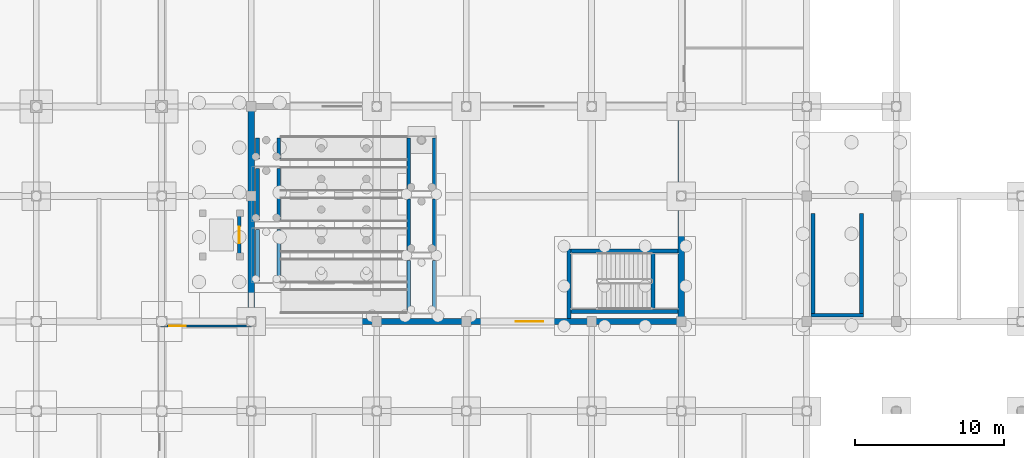
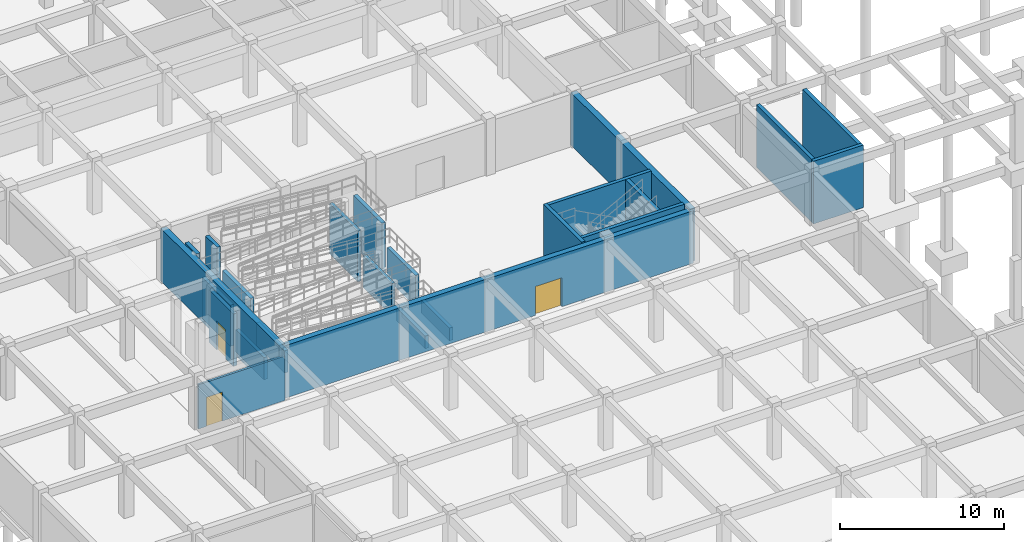
# One storey, part 26 of 40: 24 walls, 3 doors, 3 openings.
"""IFC4 building model written with IfcOpenShell, lengths in metres."""

from ifc_helpers import new_model, si_unit, direction, frame, frame_2d, origin, place, context, subcontext, project, spatial, rectangle, extrude, material, layer, layer_set, type_object, element, fill, save


model = new_model("IFC4")

# Units and contexts
model_context = context("Model", 3, precision=1e-05, world=origin(), true_north=direction((0.0, 1.0)))
body_context = subcontext(model_context, "Body", "Model", "MODEL_VIEW")
ifc_project = project(units=[si_unit("LENGTHUNIT", "METRE"), si_unit("AREAUNIT", "SQUARE_METRE"), si_unit("VOLUMEUNIT", "CUBIC_METRE"), si_unit("PLANEANGLEUNIT", "RADIAN"), si_unit("MASSUNIT", "GRAM", prefix="KILO"), si_unit("THERMODYNAMICTEMPERATUREUNIT", "KELVIN")], contexts=[model_context])

# Site, building, storey
site_placement = place(None, origin())
site = spatial("IfcSite", under=ifc_project, at=site_placement, CompositionType="ELEMENT")
building_placement = place(site_placement, origin())
building = spatial("IfcBuilding", under=site, at=building_placement, Name="Thalorik Housing Commons", CompositionType="ELEMENT")
storey_placement = place(building_placement, frame((0.0, 0.0, -4.199951171875)))
storey = spatial("IfcBuildingStorey", under=building, at=storey_placement, Name="B1", CompositionType="ELEMENT", Elevation=-4.199951171875)

# Walls
ifc_material_1 = material(Name="Concrete C40/50", Category="concrete")
ifc_layer_1 = layer(ifc_material_1, 0.25, Name="Concrete C40/50", Category="concrete")
ifc_layer_set_1 = layer_set([ifc_layer_1], Name="Concrete C40/50")
wall_type_1 = type_object("IfcWallType", Name="ARC-WAL-CORE-250", PredefinedType="SHEAR", material=ifc_layer_set_1)
for number, where, z_axis, x_axis, name in (
    (1, (66.425048828125, 64.85009765625, -0.449951171875), (0.0, 0.0, 1.0), (0.0, -1.0, 0.0), "B1 Stair ST-H1 Structural Support Wall L"),
    (2, (69.675048828125, 64.85009765625, -0.449951171875), (0.0, 0.0, 1.0), (0.0, -1.0, 0.0), "B1 Stair ST-H1 Structural Support Wall R"),
):
    element("IfcWall", number, at=place(storey_placement, frame(where, z_axis=z_axis, x_axis=x_axis)), inside=storey, type_object=wall_type_1, Name=name, PredefinedType="SHEAR", context=body_context, shape_type="SweptSolid", body=[
        extrude(rectangle(XDim=6.7001953125, YDim=0.25, at=frame_2d((3.35009765625, 0.0))), origin(), (0.0, 0.0, 1.0), 4.64990234375),
    ])
wall_1_placement = place(storey_placement, frame((66.300048828125, 58.02490234375, -0.449951171875), z_axis=(0.0, 0.0, 1.0), x_axis=(1.0, 0.0, 0.0)))
element("IfcWall", 3, at=wall_1_placement, inside=storey, type_object=wall_type_1, Name="B1 Stair ST-H1 Structural Support Wall F", PredefinedType="SHEAR", context=body_context, shape_type="SweptSolid", body=[
    extrude(rectangle(XDim=3.5, YDim=0.25, at=frame_2d((1.75, 0.0))), origin(), (0.0, 0.0, 1.0), 4.64990234375),
])
for number, where, z_axis, x_axis, name in (
    (4, (57.389892578125, 62.324951171875, -0.449951171875), (0.0, 0.0, 1.0), (-1.0, 0.0, 0.0), "B1 Stair ST-M1 Structural Support Wall L"),
    (5, (57.389892578125, 58.27490234375, -0.449951171875), (0.0, 0.0, 1.0), (-1.0, 0.0, 0.0), "B1 Stair ST-M1 Structural Support Wall R"),
):
    element("IfcWall", number, at=place(storey_placement, frame(where, z_axis=z_axis, x_axis=x_axis)), inside=storey, type_object=wall_type_1, Name=name, PredefinedType="SHEAR", context=body_context, shape_type="SweptSolid", body=[
        extrude(rectangle(XDim=7.18994140625, YDim=0.25, at=frame_2d((3.594970703125, 0.0))), origin(), (0.0, 0.0, 1.0), 4.449951171875),
    ])
wall_2_placement = place(storey_placement, frame((50.074951171875, 62.449951171875, -0.449951171875), z_axis=(0.0, 0.0, 1.0), x_axis=(0.0, -1.0, 0.0)))
element("IfcWall", 6, at=wall_2_placement, inside=storey, type_object=wall_type_1, Name="B1 Stair ST-M1 Structural Support Wall F", PredefinedType="SHEAR", context=body_context, shape_type="SweptSolid", body=[
    extrude(rectangle(XDim=4.659912109375, YDim=0.25, at=frame_2d((2.330078125, 0.0))), origin(), (0.0, 0.0, 1.0), 4.449951171875),
])
wall_3_placement = place(storey_placement, frame((55.699951171875, 62.199951171875, -0.449951171875), z_axis=(0.0, 0.0, 1.0), x_axis=(0.0, -1.0, 0.0)))
element("IfcWall", 7, at=wall_3_placement, inside=storey, type_object=wall_type_1, Name="B1 Stair ST-M1 Arrival Support Wall", PredefinedType="SHEAR", context=body_context, shape_type="SweptSolid", body=[
    extrude(rectangle(XDim=3.800048828125, YDim=0.25, at=frame_2d((1.89990234375, 0.0))), origin(), (0.0, 0.0, 1.0), 4.449951171875),
])
for number, where, z_axis, x_axis, name in (
    (8, (39.35009765625, 58.25, -0.449951171875), (0.0, 0.0, 1.0), (0.0, 1.0, 0.0), "B1 Metro Ramp Landing 1 Support Wall W"),
    (9, (41.050048828125, 58.25, -0.449951171875), (0.0, 0.0, 1.0), (0.0, 1.0, 0.0), "B1 Metro Ramp Landing 1 Support Wall E"),
):
    element("IfcWall", number, at=place(storey_placement, frame(where, z_axis=z_axis, x_axis=x_axis)), inside=storey, type_object=wall_type_1, Name=name, PredefinedType="SHEAR", context=body_context, shape_type="SweptSolid", body=[
        extrude(rectangle(XDim=3.449951171875, YDim=0.25, at=frame_2d((1.72509765625, 0.0))), origin(), (0.0, 0.0, 1.0), 0.949951171875),
    ])
for number, where, z_axis, x_axis, name in (
    (10, (29.219970703125, 60.300048828125, -0.449951171875), (0.0, 0.0, 1.0), (0.0, 1.0, 0.0), "B1 Metro Ramp Landing 2 Support Wall W"),
    (11, (30.64990234375, 60.300048828125, -0.449951171875), (0.0, 0.0, 1.0), (0.0, 1.0, 0.0), "B1 Metro Ramp Landing 2 Support Wall E"),
):
    element("IfcWall", number, at=place(storey_placement, frame(where, z_axis=z_axis, x_axis=x_axis)), inside=storey, type_object=wall_type_1, Name=name, PredefinedType="SHEAR", context=body_context, shape_type="SweptSolid", body=[
        extrude(rectangle(XDim=3.449951171875, YDim=0.25, at=frame_2d((1.72509765625, 0.0))), origin(), (0.0, 0.0, 1.0), 1.64990234375),
    ])
for number, where, z_axis, x_axis, name in (
    (12, (39.35009765625, 62.35009765625, -0.449951171875), (0.0, 0.0, 1.0), (0.0, 1.0, 0.0), "B1 Metro Ramp Landing 3 Support Wall W"),
    (13, (41.050048828125, 62.35009765625, -0.449951171875), (0.0, 0.0, 1.0), (0.0, 1.0, 0.0), "B1 Metro Ramp Landing 3 Support Wall E"),
):
    element("IfcWall", number, at=place(storey_placement, frame(where, z_axis=z_axis, x_axis=x_axis)), inside=storey, type_object=wall_type_1, Name=name, PredefinedType="SHEAR", context=body_context, shape_type="SweptSolid", body=[
        extrude(rectangle(XDim=3.449951171875, YDim=0.25, at=frame_2d((1.72509765625, 0.0))), origin(), (0.0, 0.0, 1.0), 2.349853515625),
    ])
for number, where, z_axis, x_axis, name in (
    (14, (29.219970703125, 64.39990234375, -0.449951171875), (0.0, 0.0, 1.0), (0.0, 1.0, 0.0), "B1 Metro Ramp Landing 4 Support Wall W"),
    (15, (30.64990234375, 64.39990234375, -0.449951171875), (0.0, 0.0, 1.0), (0.0, 1.0, 0.0), "B1 Metro Ramp Landing 4 Support Wall E"),
):
    element("IfcWall", number, at=place(storey_placement, frame(where, z_axis=z_axis, x_axis=x_axis)), inside=storey, type_object=wall_type_1, Name=name, PredefinedType="SHEAR", context=body_context, shape_type="SweptSolid", body=[
        extrude(rectangle(XDim=3.4501953125, YDim=0.25, at=frame_2d((1.72509765625, 0.0))), origin(), (0.0, 0.0, 1.0), 3.0498046875),
    ])
for number, where, z_axis, x_axis, name in (
    (16, (39.35009765625, 66.449951171875, -0.449951171875), (0.0, 0.0, 1.0), (0.0, 1.0, 0.0), "B1 Metro Ramp Landing 5 Support Wall W"),
    (17, (41.050048828125, 66.449951171875, -0.449951171875), (0.0, 0.0, 1.0), (0.0, 1.0, 0.0), "B1 Metro Ramp Landing 5 Support Wall E"),
):
    element("IfcWall", number, at=place(storey_placement, frame(where, z_axis=z_axis, x_axis=x_axis)), inside=storey, type_object=wall_type_1, Name=name, PredefinedType="SHEAR", context=body_context, shape_type="SweptSolid", body=[
        extrude(rectangle(XDim=3.449951171875, YDim=0.25, at=frame_2d((1.72509765625, 0.0))), origin(), (0.0, 0.0, 1.0), 3.75),
    ])
for number, where, z_axis, x_axis, name in (
    (18, (29.219970703125, 68.5, -0.449951171875), (0.0, 0.0, 1.0), (0.0, 1.0, 0.0), "B1 Metro Ramp Landing 6 Support Wall W"),
    (19, (30.64990234375, 68.5, -0.449951171875), (0.0, 0.0, 1.0), (0.0, 1.0, 0.0), "B1 Metro Ramp Landing 6 Support Wall E"),
):
    element("IfcWall", number, at=place(storey_placement, frame(where, z_axis=z_axis, x_axis=x_axis)), inside=storey, type_object=wall_type_1, Name=name, PredefinedType="SHEAR", context=body_context, shape_type="SweptSolid", body=[
        extrude(rectangle(XDim=1.39990234375, YDim=0.25, at=frame_2d((0.699951171875, 0.0))), origin(), (0.0, 0.0, 1.0), 4.369873046875),
    ])

# Wall, opening, door
wall_4_placement = place(storey_placement, frame((28.0, 61.89990234375, 0.0), z_axis=(0.0, 0.0, 1.0), x_axis=(0.0, 1.0, 0.0)))
wall_4 = element("IfcWall", 20, at=wall_4_placement, inside=storey, type_object=wall_type_1, Name="B1 Metro Lift LP-M1 Front Wall", PredefinedType="SHEAR", context=body_context, shape_type="SweptSolid", body=[
    extrude(rectangle(XDim=3.0, YDim=0.25, at=frame_2d((1.5, 0.0))), origin(), (0.0, 0.0, 1.0), 3.89990234375),
])
opening_1_placement = place(wall_4_placement, frame((0.949951171875, 0.0, 0.0)))
opening_1 = element("IfcOpeningElement", 21, at=opening_1_placement, cuts=wall_4, Name="Opening LD-LP-M1-B1", PredefinedType="OPENING", context=body_context, shape_type="SweptSolid", body=[
    extrude(rectangle(XDim=1.10009765625, YDim=2.14990234375, at=frame_2d((0.550048828125, 1.074951171875))), frame((0.0, 0.135009765625, 0.0), z_axis=(0.0, -1.0, 0.0), x_axis=(1.0, 0.0, 0.0)), (0.0, 0.0, 1.0), 0.27001953125),
])
ifc_material_2 = material(Name="Steel S355", Category="steel")
door_type_1 = type_object("IfcDoorType", Name="ARC-DR-LIFT-1100", OperationType="NOTDEFINED", PredefinedType="DOOR", material=ifc_material_2)
door_1_placement = place(opening_1_placement, origin())
door_1 = element("IfcDoor", 22, at=door_1_placement, inside=storey, type_object=door_type_1, Name="B1 Lift LP-M1 Landing Door", OperationType="SLIDING_TO_LEFT", OverallHeight=2.14990234375, OverallWidth=1.10009765625, PredefinedType="DOOR", context=body_context, shape_type="SweptSolid", body=[
    extrude(rectangle(XDim=1.10009765625, YDim=2.14990234375, at=frame_2d((0.550048828125, 1.074951171875))), frame((0.0, 0.02490234375, 0.0), z_axis=(0.0, -1.0, 0.0), x_axis=(1.0, 0.0, 0.0)), (0.0, 0.0, 1.0), 0.050048828125),
])
fill(opening_1, door_1)

ifc_material_3 = material(Name="Ceramic masonry partition wall", Category="masonry")
ifc_layer_2 = layer(ifc_material_3, 0.14794921875, Name="Ceramic masonry partition wall", Category="masonry")
ifc_layer_set_2 = layer_set([ifc_layer_2], Name="Ceramic masonry partition wall")
wall_type_2 = type_object("IfcWallType", Name="ARC-WAL-PART-150", PredefinedType="PARTITIONING", material=ifc_layer_set_2)
wall_5_placement = place(storey_placement, frame((22.72607421875, 57.300048828125, 0.0), z_axis=(0.0, 0.0, 1.0), x_axis=(1.0, 0.0, 0.0)))
wall_5 = element("IfcWall", 23, at=wall_5_placement, inside=storey, type_object=wall_type_2, Name="B1 Bicycle Hub North Corridor Wall", PredefinedType="PARTITIONING", context=body_context, shape_type="SweptSolid", body=[
    extrude(rectangle(XDim=6.073974609375, YDim=0.14794921875, at=frame_2d((3.037109375, 0.0))), origin(), (0.0, 0.0, 1.0), 3.284912109375),
])
opening_2_placement = place(wall_5_placement, frame((0.573974609375, 0.0, 0.0)))
opening_2 = element("IfcOpeningElement", 24, at=opening_2_placement, cuts=wall_5, Name="Opening ID-2226", PredefinedType="OPENING", context=body_context, shape_type="SweptSolid", body=[
    extrude(rectangle(XDim=1.10009765625, YDim=2.14990234375, at=frame_2d((0.550048828125, 1.074951171875))), frame((0.0, 0.083984375, 0.0), z_axis=(0.0, -1.0, 0.0), x_axis=(1.0, 0.0, 0.0)), (0.0, 0.0, 1.0), 0.16796875),
])
door_type_2 = type_object("IfcDoorType", Name="ARC-DR-FD60-1100", OperationType="NOTDEFINED", PredefinedType="DOOR", material=ifc_material_2)
door_2_placement = place(opening_2_placement, origin())
door_2 = element("IfcDoor", 25, at=door_2_placement, inside=storey, type_object=door_type_2, Name="B1 Bicycle Storage Interior Door", OperationType="SINGLE_SWING_LEFT", OverallHeight=2.14990234375, OverallWidth=1.10009765625, PredefinedType="DOOR", context=body_context, shape_type="SweptSolid", body=[
    extrude(rectangle(XDim=1.10009765625, YDim=2.14990234375, at=frame_2d((0.550048828125, 1.074951171875))), frame((0.0, 0.02490234375, 0.0), z_axis=(0.0, -1.0, 0.0), x_axis=(1.0, 0.0, 0.0)), (0.0, 0.0, 1.0), 0.050048828125),
])
fill(opening_2, door_2)

ifc_layer_3 = layer(ifc_material_1, 0.3798828125, Name="Concrete C40/50", Category="concrete")
ifc_layer_set_3 = layer_set([ifc_layer_3], Name="Concrete C40/50")
wall_type_3 = type_object("IfcWallType", Name="ARC-WAL-RET-380", PredefinedType="SHEAR", material=ifc_layer_set_3)
wall_6_placement = place(storey_placement, frame((57.60009765625, 57.60009765625, 0.0), z_axis=(0.0, 0.0, 1.0), x_axis=(-1.0, 0.0, 0.0)))
wall_6 = element("IfcWall", 26, at=wall_6_placement, inside=storey, type_object=wall_type_3, Name="B1 Exterior Wall WAL-B1-RET-05", PredefinedType="SHEAR", context=body_context, shape_type="SweptSolid", body=[
    extrude(rectangle(XDim=28.800048828125, YDim=0.3798828125, at=frame_2d((14.39990234375, 0.0))), origin(), (0.0, 0.0, 1.0), 3.89990234375),
])
opening_3_placement = place(wall_6_placement, frame((9.25, 0.0, 0.0)))
opening_3 = element("IfcOpeningElement", 27, at=opening_3_placement, cuts=wall_6, Name="Opening ED-0001", PredefinedType="OPENING", context=body_context, shape_type="SweptSolid", body=[
    extrude(rectangle(XDim=1.85009765625, YDim=2.14990234375, at=frame_2d((0.925048828125, 1.074951171875))), frame((0.0, 0.199951171875, 0.0), z_axis=(0.0, -1.0, 0.0), x_axis=(1.0, 0.0, 0.0)), (0.0, 0.0, 1.0), 0.39990234375),
])
door_type_3 = type_object("IfcDoorType", Name="ARC-GT-COURT-1850", OperationType="NOTDEFINED", PredefinedType="GATE", material=ifc_material_2)
door_3_placement = place(opening_3_placement, frame((1.85009765625, 0.0, 0.0), z_axis=(0.0, 0.0, 1.0), x_axis=(-1.0, 0.0, 0.0)))
door_3 = element("IfcDoor", 28, at=door_3_placement, inside=storey, type_object=door_type_3, Name="B1 Bicycle Hub Forecourt Gate", OperationType="DOUBLE_DOOR_SINGLE_SWING", OverallHeight=2.14990234375, OverallWidth=1.85009765625, PredefinedType="GATE", context=body_context, shape_type="SweptSolid", body=[
    extrude(rectangle(XDim=1.85009765625, YDim=2.14990234375, at=frame_2d((0.925048828125, 1.074951171875))), frame((0.0, 0.02490234375, 0.0), z_axis=(0.0, -1.0, 0.0), x_axis=(1.0, 0.0, 0.0)), (0.0, 0.0, 1.0), 0.050048828125),
])
fill(opening_3, door_3)

# Walls
ifc_layer_4 = layer(ifc_material_1, 0.419921875, Name="Concrete C40/50", Category="concrete")
ifc_layer_set_4 = layer_set([ifc_layer_4], Name="Concrete C40/50")
wall_type_4 = type_object("IfcWallType", Name="ARC-WAL-RET-420", PredefinedType="SHEAR", material=ifc_layer_set_4)
for number, where, z_axis, x_axis, name in (
    (29, (28.800048828125, 57.60009765625, 0.0), (0.0, 0.0, 1.0), (0.0, 1.0, 0.0), "B1 Exterior Wall WAL-B1-RET-06"),
    (30, (57.60009765625, 72.0, 0.0), (0.0, 0.0, 1.0), (0.0, -1.0, 0.0), "B1 Exterior Wall WAL-B1-RET-08"),
):
    element("IfcWall", number, at=place(storey_placement, frame(where, z_axis=z_axis, x_axis=x_axis)), inside=storey, type_object=wall_type_4, Name=name, PredefinedType="SHEAR", context=body_context, shape_type="SweptSolid", body=[
        extrude(rectangle(XDim=14.39990234375, YDim=0.419921875, at=frame_2d((7.199951171875, 0.0))), origin(), (0.0, 0.0, 1.0), 3.89990234375),
    ])

save(model, "model.ifc")
